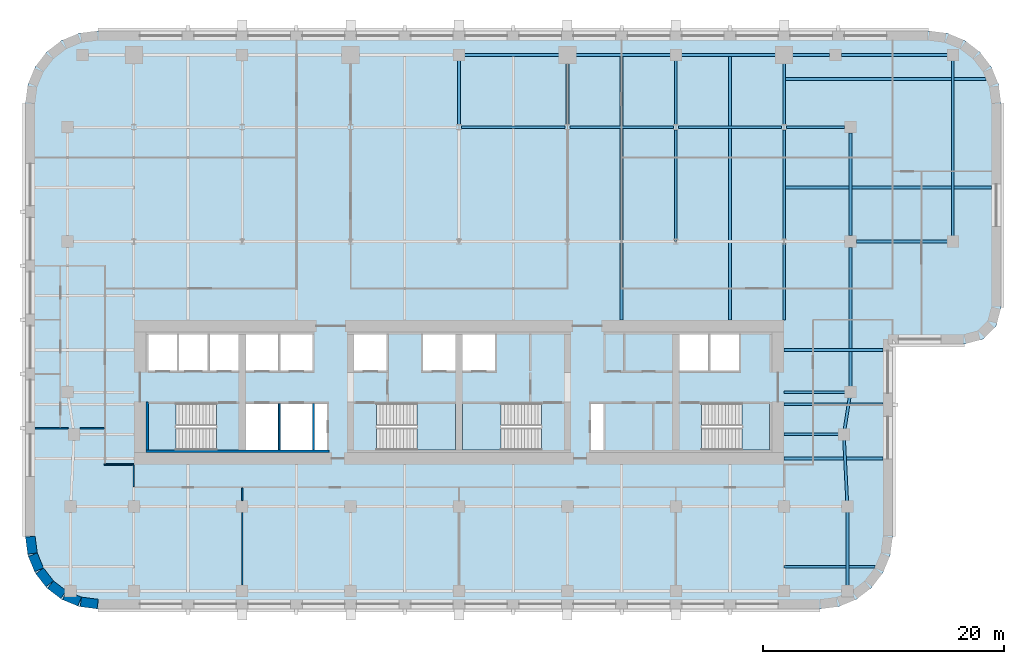
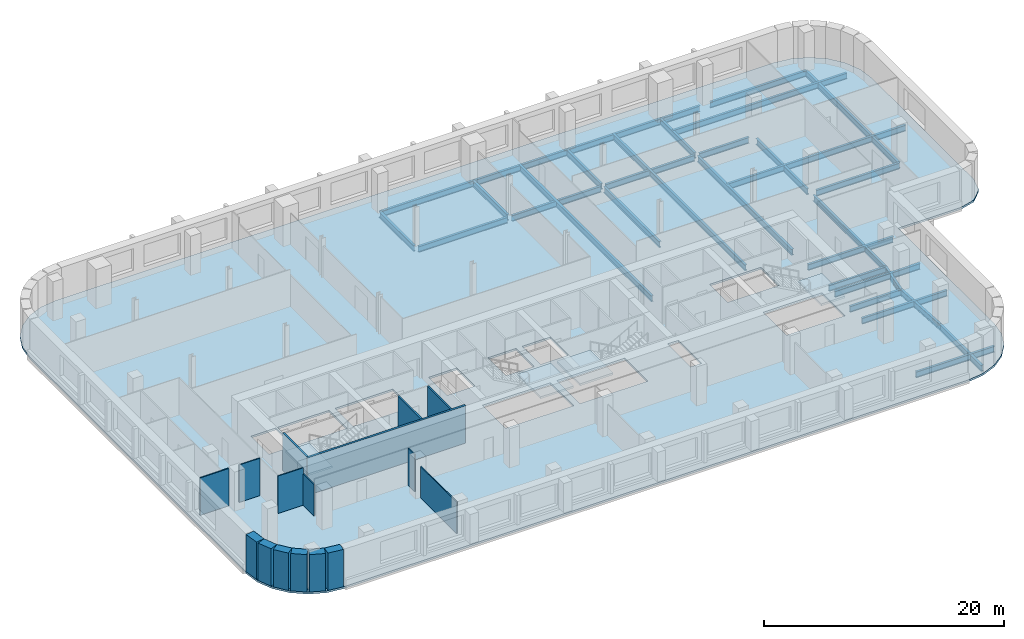
# One storey, part 2 of 9: 30 beams, 16 walls, 5 slabs, 4 elements without a shape of their own.
"""IFC4 building model written with IfcOpenShell, lengths in metres."""

from ifc_helpers import new_model, si_unit, direction, frame, frame_2d, origin, origin_2d, place, context, subcontext, project, spatial, polyline, rectangle, i_section, outline, extrude, material, layer, layer_set, material_profile, profile_set, type_object, element, aggregate, save


model = new_model("IFC4")

# Units and contexts
model_context = context("Model", 3, precision=1e-05, world=origin(), true_north=direction((0.0, 1.0)))
body_context = subcontext(model_context, "Body", "Model", "MODEL_VIEW")
ifc_project = project(units=[si_unit("LENGTHUNIT", "METRE"), si_unit("AREAUNIT", "SQUARE_METRE"), si_unit("VOLUMEUNIT", "CUBIC_METRE"), si_unit("PLANEANGLEUNIT", "RADIAN"), si_unit("MASSUNIT", "GRAM", prefix="KILO")], contexts=[model_context])

# Site, building, storey
site_placement = place(None, origin())
site = spatial("IfcSite", under=ifc_project, at=site_placement, CompositionType="ELEMENT")
building_placement = place(site_placement, origin())
building = spatial("IfcBuilding", under=site, at=building_placement, Name="Zellij Exchange Tower", CompositionType="ELEMENT")
storey_placement = place(building_placement, frame((0.0, 0.0, 112.5)))
storey = spatial("IfcBuildingStorey", under=building, at=storey_placement, Name="L24", CompositionType="ELEMENT", Elevation=112.5)

# Beams
ifc_material_1 = material(Name="Structural steel ASTM A992 Gr 50", Category="steel")
ifc_material_profile_1 = material_profile(ifc_material_1, i_section(OverallWidth=0.227783203125, OverallDepth=0.60205078125, WebThickness=0.010498046875, FlangeThickness=0.014892578125, at=origin_2d()), Name="W24x68")
ifc_profile_set_1 = profile_set([ifc_material_profile_1], Name="Structural steel ASTM A992 Gr 50")
beam_type_1 = type_object("IfcBeamType", Name="STR-BEAM W24x68", PredefinedType="BEAM", material=ifc_profile_set_1)
for number, where, z_axis, x_axis, name in (
    (1, (13.5, -2.0, -0.5009765625), (0.0, 1.0, 0.0), (-1.0, 0.0, 0.0), "B5"),
    (2, (22.5, -2.0, -0.5009765625), (0.0, 1.0, 0.0), (-1.0, 0.0, 0.0), "B5"),
):
    element("IfcBeam", number, at=place(storey_placement, frame(where, z_axis=z_axis, x_axis=x_axis)), inside=storey, type_object=beam_type_1, Name=name, PredefinedType="BEAM", context=body_context, shape_type="SweptSolid", body=[
        extrude(i_section(OverallWidth=0.227783203125, OverallDepth=0.60205078125, WebThickness=0.010498046875, FlangeThickness=0.014892578125, at=origin_2d()), origin(), (0.0, 0.0, 1.0), 22.114501953125),
    ])
beam_1_placement = place(storey_placement, frame((27.0, -22.5, -0.5009765625), z_axis=(1.0, 0.0, 0.0), x_axis=(0.0, 1.0, 0.0)))
element("IfcBeam", 3, at=beam_1_placement, inside=storey, type_object=beam_type_1, Name="B5", PredefinedType="BEAM", context=body_context, shape_type="SweptSolid", body=[
    extrude(i_section(OverallWidth=0.227783203125, OverallDepth=0.60205078125, WebThickness=0.010498046875, FlangeThickness=0.014892578125, at=origin_2d()), origin(), (0.0, 0.0, 1.0), 7.537109375),
])
for number, where, z_axis, x_axis, name in (
    (4, (27.0, -13.5, -0.5009765625), (1.0, 0.0, 0.0), (0.0, 1.0, 0.0), "B5"),
    (5, (27.0, -9.0, -0.5009765625), (1.0, 0.0, 0.0), (0.0, 1.0, 0.0), "B5"),
    (6, (27.0, -4.5, -0.5009765625), (1.0, 0.0, 0.0), (0.0, 1.0, 0.0), "B5"),
):
    element("IfcBeam", number, at=place(storey_placement, frame(where, z_axis=z_axis, x_axis=x_axis)), inside=storey, type_object=beam_type_1, Name=name, PredefinedType="BEAM", context=body_context, shape_type="SweptSolid", body=[
        extrude(i_section(OverallWidth=0.227783203125, OverallDepth=0.60205078125, WebThickness=0.010498046875, FlangeThickness=0.014892578125, at=origin_2d()), origin(), (0.0, 0.0, 1.0), 8.199951171875),
    ])
beam_2_placement = place(storey_placement, frame((27.0, 9.0, -0.5009765625), z_axis=(1.0, 0.0, 0.0), x_axis=(0.0, 1.0, 0.0)))
element("IfcBeam", 7, at=beam_2_placement, inside=storey, type_object=beam_type_1, Name="B5", PredefinedType="BEAM", context=body_context, shape_type="SweptSolid", body=[
    extrude(i_section(OverallWidth=0.227783203125, OverallDepth=0.60205078125, WebThickness=0.010498046875, FlangeThickness=0.014892578125, at=origin_2d()), origin(), (0.0, 0.0, 1.0), 17.199951171875),
])
beam_3_placement = place(storey_placement, frame((27.0, 18.0, -0.5009765625), z_axis=(1.0, 0.0, 0.0), x_axis=(0.0, 1.0, 0.0)))
element("IfcBeam", 8, at=beam_3_placement, inside=storey, type_object=beam_type_1, Name="B5", PredefinedType="BEAM", context=body_context, shape_type="SweptSolid", body=[
    extrude(i_section(OverallWidth=0.227783203125, OverallDepth=0.60205078125, WebThickness=0.010498046875, FlangeThickness=0.014892578125, at=origin_2d()), origin(), (0.0, 0.0, 1.0), 16.743896484375),
])
ifc_material_profile_2 = material_profile(ifc_material_1, i_section(OverallWidth=0.22900390625, OverallDepth=0.612060546875, WebThickness=0.011962890625, FlangeThickness=0.01953125, at=origin_2d()), Name="W24x84")
ifc_profile_set_2 = profile_set([ifc_material_profile_2], Name="Structural steel ASTM A992 Gr 50")
beam_type_2 = type_object("IfcBeamType", Name="STR-EDGE GIRDER W24x84", PredefinedType="BEAM", material=ifc_profile_set_2)
beam_4_placement = place(storey_placement, frame((32.25, -24.5, -0.506103515625), z_axis=(0.0, 1.0, 0.0), x_axis=(-1.0, 0.0, 0.0)))
element("IfcBeam", 9, at=beam_4_placement, inside=storey, type_object=beam_type_2, Name="EB6", PredefinedType="BEAM", context=body_context, shape_type="SweptSolid", body=[
    extrude(i_section(OverallWidth=0.22900390625, OverallDepth=0.612060546875, WebThickness=0.011962890625, FlangeThickness=0.01953125, at=origin_2d()), origin(), (0.0, 0.0, 1.0), 7.0),
])
beam_5_placement = place(storey_placement, frame((32.25, -17.5, -0.506103515625), z_axis=(-0.049945724537, 0.998751933465, 0.0), x_axis=(-0.998751933465, -0.049945724537, 0.0)))
element("IfcBeam", 10, at=beam_5_placement, inside=storey, type_object=beam_type_2, Name="EB6", PredefinedType="BEAM", context=body_context, shape_type="SweptSolid", body=[
    extrude(i_section(OverallWidth=0.22900390625, OverallDepth=0.612060546875, WebThickness=0.011962890625, FlangeThickness=0.01953125, at=origin_2d()), origin(), (0.0, 0.0, 1.0), 6.007568359375),
])
beam_6_placement = place(storey_placement, frame((31.949951171875, -11.5, -0.506103515625), z_axis=(0.155251283593, 0.987875011802, 0.0), x_axis=(-0.987875011802, 0.155251283593, 0.0)))
element("IfcBeam", 11, at=beam_6_placement, inside=storey, type_object=beam_type_2, Name="EB6", PredefinedType="BEAM", context=body_context, shape_type="SweptSolid", body=[
    extrude(i_section(OverallWidth=0.22900390625, OverallDepth=0.612060546875, WebThickness=0.011962890625, FlangeThickness=0.01953125, at=origin_2d()), origin(), (0.0, 0.0, 1.0), 3.54296875),
])
beam_7_placement = place(storey_placement, frame((32.5, -8.0, -0.506103515625), z_axis=(0.0, 1.0, 0.0), x_axis=(-1.0, 0.0, 0.0)))
element("IfcBeam", 12, at=beam_7_placement, inside=storey, type_object=beam_type_2, Name="EB6", PredefinedType="BEAM", context=body_context, shape_type="SweptSolid", body=[
    extrude(i_section(OverallWidth=0.22900390625, OverallDepth=0.612060546875, WebThickness=0.011962890625, FlangeThickness=0.01953125, at=origin_2d()), origin(), (0.0, 0.0, 1.0), 12.0),
])
beam_8_placement = place(storey_placement, frame((32.5, 5.0, -0.506103515625), z_axis=(0.0, 1.0, 0.0), x_axis=(-1.0, 0.0, 0.0)))
element("IfcBeam", 13, at=beam_8_placement, inside=storey, type_object=beam_type_2, Name="EB6", PredefinedType="BEAM", context=body_context, shape_type="SweptSolid", body=[
    extrude(i_section(OverallWidth=0.22900390625, OverallDepth=0.612060546875, WebThickness=0.011962890625, FlangeThickness=0.01953125, at=origin_2d()), origin(), (0.0, 0.0, 1.0), 8.5),
])
beam_9_placement = place(storey_placement, frame((41.0, 4.5, -0.506103515625), z_axis=(0.0, 1.0, 0.0), x_axis=(-1.0, 0.0, 0.0)))
element("IfcBeam", 14, at=beam_9_placement, inside=storey, type_object=beam_type_2, Name="EB6", PredefinedType="BEAM", context=body_context, shape_type="SweptSolid", body=[
    extrude(i_section(OverallWidth=0.22900390625, OverallDepth=0.612060546875, WebThickness=0.011962890625, FlangeThickness=0.01953125, at=origin_2d()), origin(), (0.0, 0.0, 1.0), 15.5),
])
ifc_material_profile_3 = material_profile(ifc_material_1, i_section(OverallWidth=0.22900390625, OverallDepth=0.612060546875, WebThickness=0.011962890625, FlangeThickness=0.01953125, at=origin_2d()), Name="W24x84")
ifc_profile_set_3 = profile_set([ifc_material_profile_3], Name="Structural steel ASTM A992 Gr 50")
beam_type_3 = type_object("IfcBeamType", Name="STR-GIRDER W24x84", PredefinedType="BEAM", material=ifc_profile_set_3)
beam_10_placement = place(storey_placement, frame((27.0, -11.5, -0.506103515625), z_axis=(1.0, 0.0, 0.0), x_axis=(0.0, 1.0, 0.0)))
element("IfcBeam", 15, at=beam_10_placement, inside=storey, type_object=beam_type_3, Name="G4", PredefinedType="BEAM", context=body_context, shape_type="SweptSolid", body=[
    extrude(i_section(OverallWidth=0.22900390625, OverallDepth=0.612060546875, WebThickness=0.011962890625, FlangeThickness=0.01953125, at=origin_2d()), origin(), (0.0, 0.0, 1.0), 4.949951171875),
])
beam_11_placement = place(storey_placement, frame((27.0, -8.0, -0.506103515625), z_axis=(1.0, 0.0, 0.0), x_axis=(0.0, 1.0, 0.0)))
element("IfcBeam", 16, at=beam_11_placement, inside=storey, type_object=beam_type_3, Name="G4", PredefinedType="BEAM", context=body_context, shape_type="SweptSolid", body=[
    extrude(i_section(OverallWidth=0.22900390625, OverallDepth=0.612060546875, WebThickness=0.011962890625, FlangeThickness=0.01953125, at=origin_2d()), origin(), (0.0, 0.0, 1.0), 5.5),
])
beam_12_placement = place(storey_placement, frame((33.0, 4.5, -0.506103515625), z_axis=(1.0, 0.0, 0.0), x_axis=(0.0, 1.0, 0.0)))
element("IfcBeam", 17, at=beam_12_placement, inside=storey, type_object=beam_type_3, Name="G4", PredefinedType="BEAM", context=body_context, shape_type="SweptSolid", body=[
    extrude(i_section(OverallWidth=0.22900390625, OverallDepth=0.612060546875, WebThickness=0.011962890625, FlangeThickness=0.01953125, at=origin_2d()), origin(), (0.0, 0.0, 1.0), 8.0),
])
beam_13_placement = place(storey_placement, frame((0.20947265625, 14.0, -0.506103515625), z_axis=(1.0, 0.0, 0.0), x_axis=(0.0, 1.0, 0.0)))
element("IfcBeam", 18, at=beam_13_placement, inside=storey, type_object=beam_type_3, Name="G4", PredefinedType="BEAM", context=body_context, shape_type="SweptSolid", body=[
    extrude(i_section(OverallWidth=0.22900390625, OverallDepth=0.612060546875, WebThickness=0.011962890625, FlangeThickness=0.01953125, at=origin_2d()), origin(), (0.0, 0.0, 1.0), 8.580810546875),
])
for number, where, z_axis, x_axis, name in (
    (19, (9.209716796875, 14.0, -0.506103515625), (1.0, 0.0, 0.0), (0.0, 1.0, 0.0), "G4"),
    (20, (18.209716796875, 14.0, -0.506103515625), (1.0, 0.0, 0.0), (0.0, 1.0, 0.0), "G4"),
):
    element("IfcBeam", number, at=place(storey_placement, frame(where, z_axis=z_axis, x_axis=x_axis)), inside=storey, type_object=beam_type_3, Name=name, PredefinedType="BEAM", context=body_context, shape_type="SweptSolid", body=[
        extrude(i_section(OverallWidth=0.22900390625, OverallDepth=0.612060546875, WebThickness=0.011962890625, FlangeThickness=0.01953125, at=origin_2d()), origin(), (0.0, 0.0, 1.0), 8.58056640625),
    ])
beam_14_placement = place(storey_placement, frame((27.209716796875, 14.0, -0.506103515625), z_axis=(1.0, 0.0, 0.0), x_axis=(0.0, 1.0, 0.0)))
element("IfcBeam", 21, at=beam_14_placement, inside=storey, type_object=beam_type_3, Name="G4", PredefinedType="BEAM", context=body_context, shape_type="SweptSolid", body=[
    extrude(i_section(OverallWidth=0.22900390625, OverallDepth=0.612060546875, WebThickness=0.011962890625, FlangeThickness=0.01953125, at=origin_2d()), origin(), (0.0, 0.0, 1.0), 4.790283203125),
])
beam_15_placement = place(storey_placement, frame((0.0, 20.0, -0.506103515625), z_axis=(1.0, 0.0, 0.0), x_axis=(0.0, 1.0, 0.0)))
element("IfcBeam", 22, at=beam_15_placement, inside=storey, type_object=beam_type_3, Name="G4", PredefinedType="BEAM", context=body_context, shape_type="SweptSolid", body=[
    extrude(i_section(OverallWidth=0.22900390625, OverallDepth=0.612060546875, WebThickness=0.011962890625, FlangeThickness=0.01953125, at=origin_2d()), origin(), (0.0, 0.0, 1.0), 18.0),
])
beam_16_placement = place(storey_placement, frame((18.0, 20.0, -0.506103515625), z_axis=(1.0, 0.0, 0.0), x_axis=(0.0, 1.0, 0.0)))
element("IfcBeam", 23, at=beam_16_placement, inside=storey, type_object=beam_type_3, Name="G4", PredefinedType="BEAM", context=body_context, shape_type="SweptSolid", body=[
    extrude(i_section(OverallWidth=0.22900390625, OverallDepth=0.612060546875, WebThickness=0.011962890625, FlangeThickness=0.01953125, at=origin_2d()), origin(), (0.0, 0.0, 1.0), 12.75),
])
beam_17_placement = place(storey_placement, frame((31.75, 20.0, -0.506103515625), z_axis=(1.0, 0.0, 0.0), x_axis=(0.0, 1.0, 0.0)))
element("IfcBeam", 24, at=beam_17_placement, inside=storey, type_object=beam_type_3, Name="G4", PredefinedType="BEAM", context=body_context, shape_type="SweptSolid", body=[
    extrude(i_section(OverallWidth=0.22900390625, OverallDepth=0.612060546875, WebThickness=0.011962890625, FlangeThickness=0.01953125, at=origin_2d()), origin(), (0.0, 0.0, 1.0), 9.25),
])
for number, where, z_axis, x_axis, name in (
    (25, (0.0, 14.227294921875, -0.506103515625), (0.0, 1.0, 0.0), (-1.0, 0.0, 0.0), "G4"),
    (26, (9.0, 14.227294921875, -0.506103515625), (0.0, 1.0, 0.0), (-1.0, 0.0, 0.0), "G4"),
):
    element("IfcBeam", number, at=place(storey_placement, frame(where, z_axis=z_axis, x_axis=x_axis)), inside=storey, type_object=beam_type_3, Name=name, PredefinedType="BEAM", context=body_context, shape_type="SweptSolid", body=[
        extrude(i_section(OverallWidth=0.22900390625, OverallDepth=0.612060546875, WebThickness=0.011962890625, FlangeThickness=0.01953125, at=origin_2d()), origin(), (0.0, 0.0, 1.0), 5.772705078125),
    ])
beam_18_placement = place(storey_placement, frame((18.0, 4.5, -0.506103515625), z_axis=(0.0, 1.0, 0.0), x_axis=(-1.0, 0.0, 0.0)))
element("IfcBeam", 27, at=beam_18_placement, inside=storey, type_object=beam_type_3, Name="G4", PredefinedType="BEAM", context=body_context, shape_type="SweptSolid", body=[
    extrude(i_section(OverallWidth=0.22900390625, OverallDepth=0.612060546875, WebThickness=0.011962890625, FlangeThickness=0.01953125, at=origin_2d()), origin(), (0.0, 0.0, 1.0), 9.272705078125),
])
beam_19_placement = place(storey_placement, frame((18.0, 14.227294921875, -0.506103515625), z_axis=(0.0, 1.0, 0.0), x_axis=(-1.0, 0.0, 0.0)))
element("IfcBeam", 28, at=beam_19_placement, inside=storey, type_object=beam_type_3, Name="G4", PredefinedType="BEAM", context=body_context, shape_type="SweptSolid", body=[
    extrude(i_section(OverallWidth=0.22900390625, OverallDepth=0.612060546875, WebThickness=0.011962890625, FlangeThickness=0.01953125, at=origin_2d()), origin(), (0.0, 0.0, 1.0), 5.772705078125),
])
beam_20_placement = place(storey_placement, frame((27.0, -2.0, -0.506103515625), z_axis=(0.0, 1.0, 0.0), x_axis=(-1.0, 0.0, 0.0)))
element("IfcBeam", 29, at=beam_20_placement, inside=storey, type_object=beam_type_3, Name="G4", PredefinedType="BEAM", context=body_context, shape_type="SweptSolid", body=[
    extrude(i_section(OverallWidth=0.22900390625, OverallDepth=0.612060546875, WebThickness=0.011962890625, FlangeThickness=0.01953125, at=origin_2d()), origin(), (0.0, 0.0, 1.0), 15.772705078125),
])
beam_21_placement = place(storey_placement, frame((27.0, 14.227294921875, -0.506103515625), z_axis=(0.0, 1.0, 0.0), x_axis=(-1.0, 0.0, 0.0)))
element("IfcBeam", 30, at=beam_21_placement, inside=storey, type_object=beam_type_3, Name="G4", PredefinedType="BEAM", context=body_context, shape_type="SweptSolid", body=[
    extrude(i_section(OverallWidth=0.22900390625, OverallDepth=0.612060546875, WebThickness=0.011962890625, FlangeThickness=0.01953125, at=origin_2d()), origin(), (0.0, 0.0, 1.0), 5.772705078125),
])

# Stair, slab
ifc_material_2 = material(Name="Concrete C40/50", Category="concrete")
stair_type = type_object("IfcStairType", Name="CORE-ST exit stair 1850 wide", PredefinedType="HALF_TURN_STAIR", material=ifc_material_2)
stair_1_placement = place(storey_placement, origin())
stair_1 = element("IfcStair", 31, at=stair_1_placement, inside=storey, type_object=stair_type, Name="L24 exit stair ST1", PredefinedType="HALF_TURN_STAIR")
ifc_layer_1 = layer(ifc_material_2, 0.199951171875)
ifc_layer_set_1 = layer_set([ifc_layer_1], Name="Concrete C40/50")
slab_type_1 = type_object("IfcSlabType", Name="CORE-SL stair landing 200", PredefinedType="LANDING", material=ifc_layer_set_1)
slab_1_placement = place(storey_placement, frame((0.0, 0.0, 1.800048828125)))
slab_1 = element("IfcSlab", 32, at=slab_1_placement, type_object=slab_type_1, Name="ST1 landing 1", PredefinedType="LANDING", context=body_context, shape_type="SweptSolid", body=[
    extrude(outline(polyline([(-23.510009765625, -8.949951171875), (-25.800048828125, -8.949951171875), (-25.800048828125, -12.800048828125), (-23.510009765625, -12.800048828125), (-23.510009765625, -8.949951171875)])), origin(), (0.0, 0.0, 1.0), 0.199951171875),
])
aggregate(stair_1, [slab_1])

stair_2_placement = place(storey_placement, origin())
stair_2 = element("IfcStair", 33, at=stair_2_placement, inside=storey, type_object=stair_type, Name="L24 exit stair ST2", PredefinedType="HALF_TURN_STAIR")
slab_2_placement = place(storey_placement, frame((0.0, 0.0, 1.800048828125)))
slab_2 = element("IfcSlab", 34, at=slab_2_placement, type_object=slab_type_1, Name="ST2 landing 1", PredefinedType="LANDING", context=body_context, shape_type="SweptSolid", body=[
    extrude(outline(polyline([(-3.489990234375, -12.800048828125), (-0.300048828125, -12.800048828125), (-0.300048828125, -8.949951171875), (-3.489990234375, -8.949951171875), (-3.489990234375, -12.800048828125)])), origin(), (0.0, 0.0, 1.0), 0.199951171875),
])
aggregate(stair_2, [slab_2])

stair_3_placement = place(storey_placement, origin())
stair_3 = element("IfcStair", 35, at=stair_3_placement, inside=storey, type_object=stair_type, Name="L24 exit stair ST3", PredefinedType="HALF_TURN_STAIR")
slab_3_placement = place(storey_placement, frame((0.0, 0.0, 1.800048828125)))
slab_3 = element("IfcSlab", 36, at=slab_3_placement, type_object=slab_type_1, Name="ST3 landing 1", PredefinedType="LANDING", context=body_context, shape_type="SweptSolid", body=[
    extrude(outline(polyline([(3.489990234375, -8.949951171875), (0.300048828125, -8.949951171875), (0.300048828125, -12.800048828125), (3.489990234375, -12.800048828125), (3.489990234375, -8.949951171875)])), origin(), (0.0, 0.0, 1.0), 0.199951171875),
])
aggregate(stair_3, [slab_3])

stair_4_placement = place(storey_placement, origin())
stair_4 = element("IfcStair", 37, at=stair_4_placement, inside=storey, type_object=stair_type, Name="L24 exit stair ST4", PredefinedType="HALF_TURN_STAIR")
slab_4_placement = place(storey_placement, frame((0.0, 0.0, 1.800048828125)))
slab_4 = element("IfcSlab", 38, at=slab_4_placement, type_object=slab_type_1, Name="ST4 landing 1", PredefinedType="LANDING", context=body_context, shape_type="SweptSolid", body=[
    extrude(outline(polyline([(23.510009765625, -12.800048828125), (25.800048828125, -12.800048828125), (25.800048828125, -8.949951171875), (23.510009765625, -8.949951171875), (23.510009765625, -12.800048828125)])), origin(), (0.0, 0.0, 1.0), 0.199951171875),
])
aggregate(stair_4, [slab_4])

# Slab
ifc_layer_2 = layer(ifc_material_2, 0.199951171875)
ifc_layer_set_2 = layer_set([ifc_layer_2], Name="Concrete C40/50")
slab_type_2 = type_object("IfcSlabType", Name="STR-FLOOR SLAB 200 C40/50", PredefinedType="FLOOR", material=ifc_layer_set_2)
slab_5_placement = place(storey_placement, frame((0.0, 0.0, -0.2001953125)))
element("IfcSlab", 39, at=slab_5_placement, inside=storey, type_object=slab_type_2, Name="Floor L24", PredefinedType="FLOOR", context=body_context, shape_type="SweptSolid", body=[
    extrude(outline(polyline([(35.795654296875, -21.552978515625), (35.1962890625, -23.0), (34.24267578125, -24.24267578125), (33.0, -25.1962890625), (31.552978515625, -25.795654296875), (30.0, -26.0), (-30.0, -26.0), (-31.552978515625, -25.795654296875), (-33.0, -25.1962890625), (-34.24267578125, -24.24267578125), (-35.1962890625, -23.0), (-35.795654296875, -21.552978515625), (-36.0, -20.0), (-36.0, 16.0), (-35.795654296875, 17.552978515625), (-35.1962890625, 19.0), (-34.24267578125, 20.24267578125), (-33.0, 21.1962890625), (-31.552978515625, 21.795654296875), (-30.0, 22.0), (39.0, 22.0), (40.552978515625, 21.795654296875), (42.0, 21.1962890625), (43.24267578125, 20.24267578125), (44.1962890625, 19.0), (44.795654296875, 17.552978515625), (45.0, 16.0), (45.0, -1.0), (44.59814453125, -2.5), (43.5, -3.59814453125), (42.0, -4.0), (36.0, -4.0), (36.0, -20.0), (35.795654296875, -21.552978515625)]), holes=[polyline([(-25.800048828125, -8.949951171875), (-25.800048828125, -12.800048828125), (-20.153076171875, -12.800048828125), (-20.153076171875, -8.949951171875), (-25.800048828125, -8.949951171875)]), polyline([(-12.14990234375, -8.949951171875), (-17.699951171875, -8.949951171875), (-17.699951171875, -12.800048828125), (-12.14990234375, -12.800048828125), (-12.14990234375, -8.949951171875)]), polyline([(-10.949951171875, -8.949951171875), (-12.0, -8.949951171875), (-12.0, -12.800048828125), (-10.949951171875, -12.800048828125), (-10.949951171875, -8.949951171875)]), polyline([(-23.39990234375, -3.199951171875), (-25.800048828125, -3.199951171875), (-25.800048828125, -6.22509765625), (-23.39990234375, -6.22509765625), (-23.39990234375, -3.199951171875)]), polyline([(-18.300048828125, -3.199951171875), (-23.25, -3.199951171875), (-23.25, -6.22509765625), (-18.300048828125, -6.22509765625), (-18.300048828125, -3.199951171875)]), polyline([(-12.14990234375, -3.199951171875), (-17.699951171875, -3.199951171875), (-17.699951171875, -6.22509765625), (-12.14990234375, -6.22509765625), (-12.14990234375, -3.199951171875)]), polyline([(-6.0, -3.199951171875), (-8.699951171875, -3.199951171875), (-8.699951171875, -6.22509765625), (-6.0, -6.22509765625), (-6.0, -3.199951171875)]), polyline([(-6.846923828125, -8.949951171875), (-6.846923828125, -12.800048828125), (-0.300048828125, -12.800048828125), (-0.300048828125, -8.949951171875), (-6.846923828125, -8.949951171875)]), polyline([(6.846923828125, -8.949951171875), (0.300048828125, -8.949951171875), (0.300048828125, -12.800048828125), (6.846923828125, -12.800048828125), (6.846923828125, -8.949951171875)]), polyline([(12.0, -8.949951171875), (10.949951171875, -8.949951171875), (10.949951171875, -12.800048828125), (12.0, -12.800048828125), (12.0, -8.949951171875)]), polyline([(25.800048828125, -8.949951171875), (20.153076171875, -8.949951171875), (20.153076171875, -12.800048828125), (25.800048828125, -12.800048828125), (25.800048828125, -8.949951171875)]), polyline([(-0.300048828125, -3.199951171875), (-3.0, -3.199951171875), (-3.0, -6.22509765625), (-0.300048828125, -6.22509765625), (-0.300048828125, -3.199951171875)]), polyline([(3.0, -3.199951171875), (0.300048828125, -3.199951171875), (0.300048828125, -6.22509765625), (3.0, -6.22509765625), (3.0, -3.199951171875)]), polyline([(23.25, -3.199951171875), (18.300048828125, -3.199951171875), (18.300048828125, -6.22509765625), (23.25, -6.22509765625), (23.25, -3.199951171875)])]), origin(), (0.0, 0.0, 1.0), 0.2001953125),
])

# Walls
ifc_material_3 = material(Name="Concrete C30/37", Category="concrete")
ifc_layer_3 = layer(ifc_material_3, 0.199951171875)
ifc_layer_set_3 = layer_set([ifc_layer_3], Name="Concrete C30/37")
wall_type_1 = type_object("IfcWallType", Name="CORE-LW 200 C30/37", PredefinedType="SHEAR", material=ifc_layer_set_3)
wall_1_placement = place(storey_placement, frame((-26.0, -12.89990234375, 0.0), z_axis=(0.0, 0.0, 1.0), x_axis=(1.0, 0.0, 0.0)))
element("IfcWall", 40, at=wall_1_placement, inside=storey, type_object=wall_type_1, Name="Core wall lining rear.0 L24", PredefinedType="SHEAR", context=body_context, shape_type="SweptSolid", body=[
    extrude(rectangle(XDim=15.199951171875, YDim=0.199951171875, at=frame_2d((7.60009765625, 0.0))), origin(), (0.0, 0.0, 1.0), 3.800048828125),
])
wall_2_placement = place(storey_placement, frame((-25.89990234375, -12.800048828125, 0.0), z_axis=(0.0, 0.0, 1.0), x_axis=(0.0, 1.0, 0.0)))
element("IfcWall", 41, at=wall_2_placement, inside=storey, type_object=wall_type_1, Name="Core wall lining end w.0 L24", PredefinedType="SHEAR", context=body_context, shape_type="SweptSolid", body=[
    extrude(rectangle(XDim=4.0, YDim=0.199951171875, at=frame_2d((2.0, 0.0))), origin(), (0.0, 0.0, 1.0), 3.800048828125),
])
ifc_material_4 = material(Name="Gypsum shaft wall system")
ifc_layer_4 = layer(ifc_material_4, 0.14990234375)
ifc_layer_set_4 = layer_set([ifc_layer_4], Name="Gypsum shaft wall system")
wall_type_2 = type_object("IfcWallType", Name="CORE-PW 150 Lift shaft wall", PredefinedType="PARTITIONING", material=ifc_layer_set_4)
for number, where, z_axis, x_axis, name in (
    (42, (-12.074951171875, -12.800048828125, 0.0), (0.0, 0.0, 1.0), (0.0, 1.0, 0.0), "Lift shaft wall L24"),
    (43, (-14.925048828125, -12.800048828125, 0.0), (0.0, 0.0, 1.0), (0.0, 1.0, 0.0), "Lift shaft wall L24"),
):
    element("IfcWall", number, at=place(storey_placement, frame(where, z_axis=z_axis, x_axis=x_axis)), inside=storey, type_object=wall_type_2, Name=name, PredefinedType="PARTITIONING", context=body_context, shape_type="SweptSolid", body=[
        extrude(rectangle(XDim=3.85009765625, YDim=0.14990234375, at=frame_2d((1.925048828125, 0.0))), origin(), (0.0, 0.0, 1.0), 3.800048828125),
    ])
ifc_material_5 = material(Name="Precast concrete C40/50", Category="concrete")
ifc_layer_5 = layer(ifc_material_5, 0.800048828125)
ifc_layer_set_5 = layer_set([ifc_layer_5], Name="Precast concrete C40/50")
wall_type_3 = type_object("IfcWallType", Name="ENV-EW1 Precast stone-piered wall 800", PredefinedType="SOLIDWALL", material=ifc_layer_set_5)
wall_3_placement = place(storey_placement, frame((-35.5966796875, -19.999755859375, 0.0), z_axis=(0.0, 0.0, 1.0), x_axis=(0.130517283865, -0.99144603414, 0.0)))
element("IfcWall", 44, at=wall_3_placement, inside=storey, type_object=wall_type_3, Name="fac.L24.27", PredefinedType="SOLIDWALL", context=body_context, shape_type="SweptSolid", body=[
    extrude(rectangle(XDim=1.408447265625, YDim=0.800048828125, at=frame_2d((0.7041015625, 0.0))), origin(), (0.0, 0.0, 1.0), 3.800048828125),
])
wall_4_placement = place(storey_placement, frame((-35.3857421875, -21.497314453125, 0.0), z_axis=(0.0, 0.0, 1.0), x_axis=(0.38276009378, -0.923847774587, 0.0)))
element("IfcWall", 45, at=wall_4_placement, inside=storey, type_object=wall_type_3, Name="fac.L24.28", PredefinedType="SOLIDWALL", context=body_context, shape_type="SweptSolid", body=[
    extrude(rectangle(XDim=1.35546875, YDim=0.800048828125, at=frame_2d((0.677734375, 0.0))), origin(), (0.0, 0.0, 1.0), 3.800048828125),
])
for number, where, z_axis, x_axis, name in (
    (46, (-34.814697265625, -22.840087890625, 0.0), (0.0, 0.0, 1.0), (0.608866226366, -0.793272915452, 0.0), "fac.L24.29"),
    (47, (-33.91552734375, -23.9892578125, 0.0), (0.0, 0.0, 1.0), (0.793272915452, -0.608866226366, 0.0), "fac.L24.30"),
):
    element("IfcWall", number, at=place(storey_placement, frame(where, z_axis=z_axis, x_axis=x_axis)), inside=storey, type_object=wall_type_3, Name=name, PredefinedType="SOLIDWALL", context=body_context, shape_type="SweptSolid", body=[
        extrude(rectangle(XDim=1.355712890625, YDim=0.800048828125, at=frame_2d((0.677734375, 0.0))), origin(), (0.0, 0.0, 1.0), 3.800048828125),
    ])
wall_5_placement = place(storey_placement, frame((-32.74951171875, -24.866943359375, 0.0), z_axis=(0.0, 0.0, 1.0), x_axis=(0.923847774587, -0.38276009378, 0.0)))
element("IfcWall", 48, at=wall_5_placement, inside=storey, type_object=wall_type_3, Name="fac.L24.31", PredefinedType="SOLIDWALL", context=body_context, shape_type="SweptSolid", body=[
    extrude(rectangle(XDim=1.35546875, YDim=0.800048828125, at=frame_2d((0.677734375, 0.0))), origin(), (0.0, 0.0, 1.0), 3.800048828125),
])
wall_6_placement = place(storey_placement, frame((-31.396240234375, -25.412841796875, 0.0), z_axis=(0.0, 0.0, 1.0), x_axis=(0.99144603414, -0.130517283865, 0.0)))
element("IfcWall", 49, at=wall_6_placement, inside=storey, type_object=wall_type_3, Name="fac.L24.32", PredefinedType="SOLIDWALL", context=body_context, shape_type="SweptSolid", body=[
    extrude(rectangle(XDim=1.408447265625, YDim=0.800048828125, at=frame_2d((0.7041015625, 0.0))), origin(), (0.0, 0.0, 1.0), 3.800048828125),
])
ifc_material_6 = material(Name="Gypsum board partition on steel studs", Category="steel")
ifc_layer_6 = layer(ifc_material_6, 0.10009765625)
ifc_layer_set_6 = layer_set([ifc_layer_6], Name="Gypsum board partition on steel studs")
wall_type_4 = type_object("IfcWallType", Name="FIT-PARTITION-100", PredefinedType="PARTITIONING", material=ifc_layer_set_6)
wall_7_placement = place(storey_placement, frame((-18.0, -24.0, 0.0), z_axis=(0.0, 0.0, 1.0), x_axis=(0.0, 1.0, 0.0)))
element("IfcWall", 50, at=wall_7_placement, inside=storey, type_object=wall_type_4, Name="FIT-PARTITION-100 001", PredefinedType="PARTITIONING", context=body_context, shape_type="SweptSolid", body=[
    extrude(rectangle(XDim=6.0, YDim=0.10009765625, at=frame_2d((3.0, 0.0))), origin(), (0.0, 0.0, 1.0), 3.18798828125),
])
wall_8_placement = place(storey_placement, frame((-18.0, -17.0, 0.0), z_axis=(0.0, 0.0, 1.0), x_axis=(0.0, 1.0, 0.0)))
element("IfcWall", 51, at=wall_8_placement, inside=storey, type_object=wall_type_4, Name="FIT-PARTITION-100 002", PredefinedType="PARTITIONING", context=body_context, shape_type="SweptSolid", body=[
    extrude(rectangle(XDim=1.050048828125, YDim=0.10009765625, at=frame_2d((0.52490234375, 0.0))), origin(), (0.0, 0.0, 1.0), 3.800048828125),
])
wall_9_placement = place(storey_placement, frame((-27.0, -15.85009765625, 0.0), z_axis=(0.0, 0.0, 1.0), x_axis=(0.0, 1.0, 0.0)))
element("IfcWall", 52, at=wall_9_placement, inside=storey, type_object=wall_type_4, Name="FIT-PARTITION-100 008", PredefinedType="PARTITIONING", context=body_context, shape_type="SweptSolid", body=[
    extrude(rectangle(XDim=1.800048828125, YDim=0.10009765625, at=frame_2d((0.89990234375, 0.0))), origin(), (0.0, 0.0, 1.0), 3.18798828125),
])
wall_10_placement = place(storey_placement, frame((-29.449951171875, -14.0, 0.0), z_axis=(0.0, 0.0, 1.0), x_axis=(1.0, 0.0, 0.0)))
element("IfcWall", 53, at=wall_10_placement, inside=storey, type_object=wall_type_4, Name="FIT-PARTITION-100 010", PredefinedType="PARTITIONING", context=body_context, shape_type="SweptSolid", body=[
    extrude(rectangle(XDim=2.449951171875, YDim=0.10009765625, at=frame_2d((1.22509765625, 0.0))), origin(), (0.0, 0.0, 1.0), 3.800048828125),
])
wall_11_placement = place(storey_placement, frame((-35.199951171875, -10.989990234375, 0.0), z_axis=(0.0, 0.0, 1.0), x_axis=(1.0, 0.0, 0.0)))
element("IfcWall", 54, at=wall_11_placement, inside=storey, type_object=wall_type_4, Name="FIT-PARTITION-100 014", PredefinedType="PARTITIONING", context=body_context, shape_type="SweptSolid", body=[
    extrude(rectangle(XDim=2.75, YDim=0.10009765625, at=frame_2d((1.375, 0.0))), origin(), (0.0, 0.0, 1.0), 3.800048828125),
])
wall_12_placement = place(storey_placement, frame((-31.449951171875, -10.989990234375, 0.0), z_axis=(0.0, 0.0, 1.0), x_axis=(1.0, 0.0, 0.0)))
element("IfcWall", 55, at=wall_12_placement, inside=storey, type_object=wall_type_4, Name="FIT-PARTITION-100 015", PredefinedType="PARTITIONING", context=body_context, shape_type="SweptSolid", body=[
    extrude(rectangle(XDim=2.0, YDim=0.10009765625, at=frame_2d((1.0, 0.0))), origin(), (0.0, 0.0, 1.0), 3.800048828125),
])

save(model, "model.ifc")
